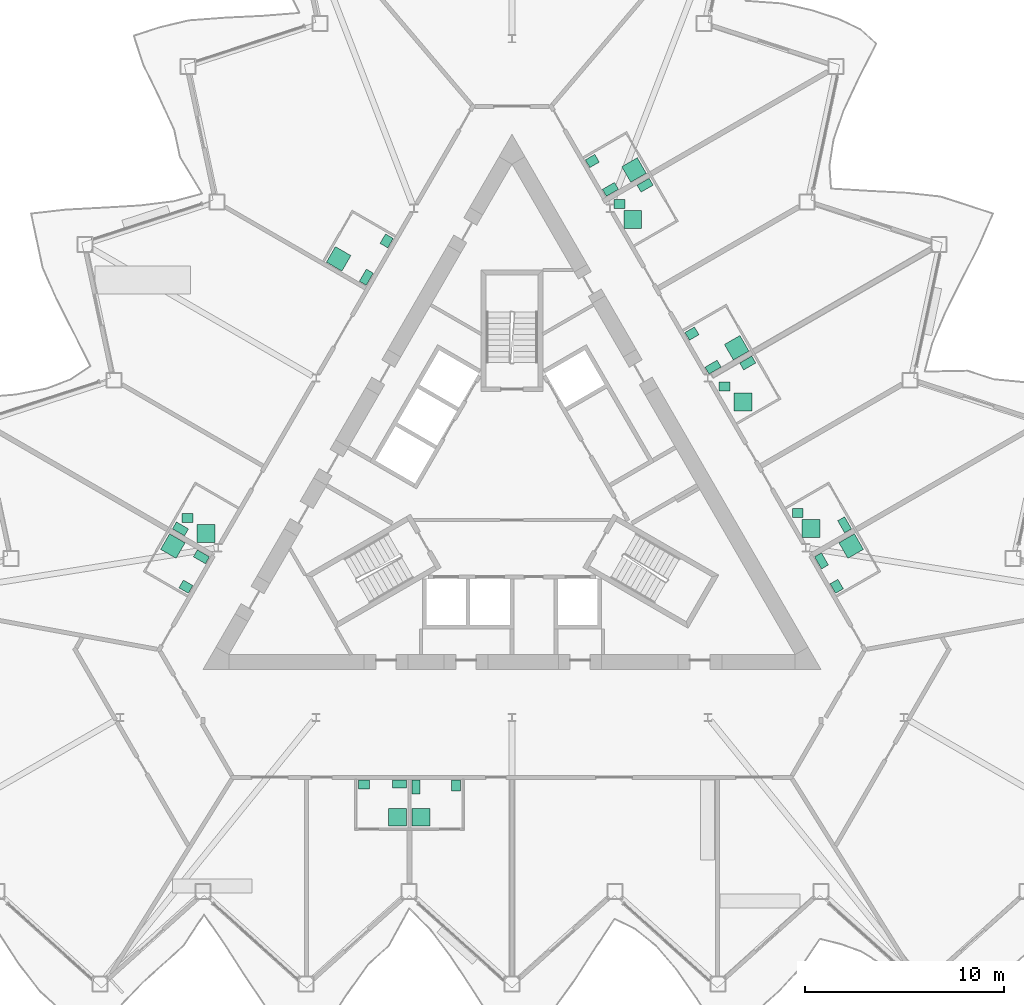
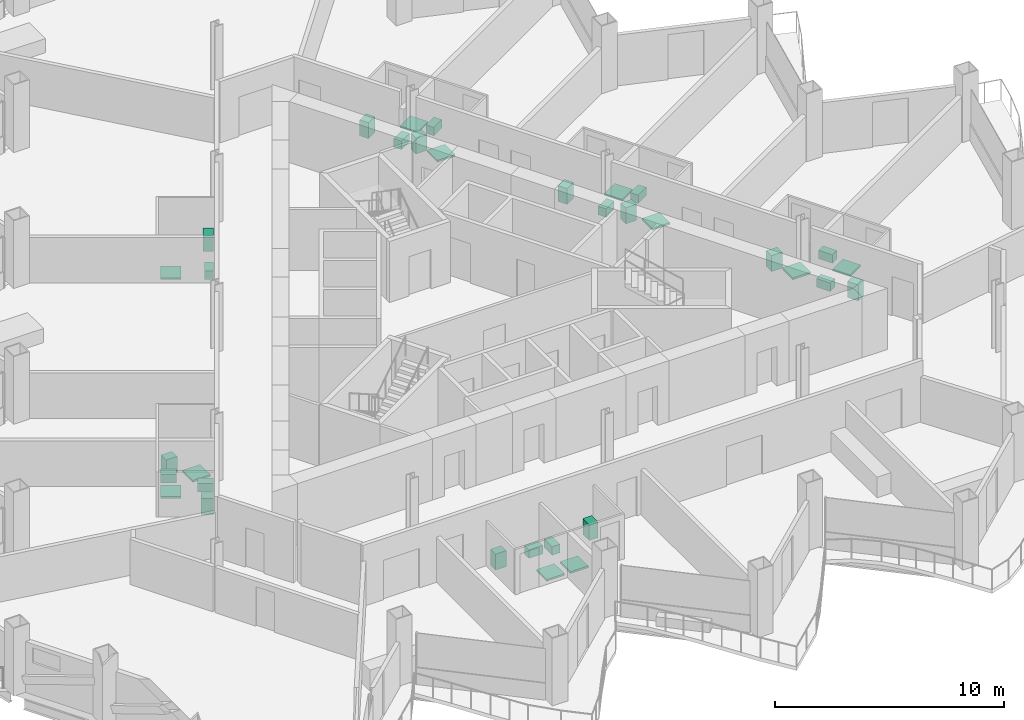
# One storey, part 23 of 24: 33 sanitary terminals.
"""IFC4 building model written with IfcOpenShell, lengths in metres."""

from ifc_helpers import new_model, si_unit, direction, frame, origin, origin_2d, place, context, subcontext, project, spatial, rectangle, extrude, material, type_object, element, save


model = new_model("IFC4")

# Units and contexts
model_context = context("Model", 3, precision=1e-05, world=origin(), true_north=direction((0.0, 1.0)))
body_context = subcontext(model_context, "Body", "Model", "MODEL_VIEW")
ifc_project = project(units=[si_unit("LENGTHUNIT", "METRE"), si_unit("AREAUNIT", "SQUARE_METRE"), si_unit("VOLUMEUNIT", "CUBIC_METRE"), si_unit("PLANEANGLEUNIT", "RADIAN"), si_unit("MASSUNIT", "GRAM", prefix="KILO")], contexts=[model_context])

# Site, building, storey
site_placement = place(None, origin())
site = spatial("IfcSite", under=ifc_project, at=site_placement, CompositionType="ELEMENT")
building_placement = place(site_placement, origin())
building = spatial("IfcBuilding", under=site, at=building_placement, Name="Cormorant Prow Tower", CompositionType="ELEMENT")
storey_placement = place(building_placement, frame((0.0, 0.0, 205.199951171875)))
storey = spatial("IfcBuildingStorey", under=building, at=storey_placement, Name="L45", CompositionType="ELEMENT", Elevation=205.199951171875)

# Sanitary terminals
ifc_material_1 = material(Name="Vitreous china")
sanitary_terminal_type_1 = type_object("IfcSanitaryTerminalType", Name="Shower tray 900x900", PredefinedType="SHOWER", material=ifc_material_1)
for number, where, z_axis, x_axis, name in (
    (1, (-5.742919921875, -16.35400390625, 0.0), (0.0, 0.0, 1.0), (-1.0, 0.0, 0.0), "Shower tray"),
    (2, (-4.552978515625, -16.35400390625, 0.0), (0.0, 0.0, 1.0), (0.0, 1.0, 0.0), "Shower tray"),
    (3, (17.010498046875, -2.7548828125, 0.0), (0.0, 0.0, 1.0), (0.5, -0.866025403784, 0.0), "Shower tray"),
    (4, (15.00634765625, -1.8623046875, 0.0), (0.0, 0.0, 1.0), (1.0, 0.0, 0.0), "Shower tray"),
    (5, (11.580078125, 4.466064453125, 0.0), (0.0, 0.0, 1.0), (1.0, 0.0, 0.0), "Shower tray"),
    (6, (11.267333984375, 7.192138671875, 0.0), (0.0, 0.0, 1.0), (-0.866025403784, -0.5, 0.0), "Shower tray"),
    (7, (6.055419921875, 13.632568359375, 0.0), (0.0, 0.0, 1.0), (1.0, 0.0, 0.0), "Shower tray"),
    (8, (6.119384765625, 16.10888671875, 0.0), (0.0, 0.0, 1.0), (-0.866025403784, -0.5, 0.0), "Shower tray"),
    (9, (-8.693359375, 11.650634765625, 0.0), (0.0, 0.0, 1.0), (0.5, 0.866025403784, 0.0), "Shower tray"),
    (10, (-15.348388671875, -2.1123046875, 0.0), (0.0, 0.0, 1.0), (1.0, 0.0, 0.0), "Shower tray"),
    (11, (-17.010498046875, -2.7548828125, 0.0), (0.0, 0.0, 1.0), (0.866025403784, -0.5, 0.0), "Shower tray"),
):
    element("IfcSanitaryTerminal", number, at=place(storey_placement, frame(where, z_axis=z_axis, x_axis=x_axis)), inside=storey, type_object=sanitary_terminal_type_1, Name=name, PredefinedType="SHOWER", context=body_context, shape_type="SweptSolid", body=[
        extrude(rectangle(XDim=0.89990234375, YDim=0.89990234375, at=origin_2d()), origin(), (0.0, 0.0, 1.0), 0.10009765625),
    ])
ifc_material_2 = material(Name="Vitreous china")
sanitary_terminal_type_2 = type_object("IfcSanitaryTerminalType", Name="Wash basin 550x450", PredefinedType="WASHHANDBASIN", material=ifc_material_2)
for number, where, z_axis, x_axis, name in (
    (12, (-7.427978515625, -14.718994140625, 0.0), (0.0, 0.0, 1.0), (1.0, 0.0, 0.0), "Wash basin"),
    (13, (-2.818115234375, -14.768798828125, 0.0), (0.0, 0.0, 1.0), (0.0, -1.0, 0.0), "Wash basin"),
    (14, (16.286865234375, -4.77197265625, 0.0), (0.0, 0.0, 1.0), (-0.5, 0.866025403784, 0.0), "Wash basin"),
    (15, (14.331298828125, -1.08740234375, 0.0), (0.0, 0.0, 1.0), (1.0, 0.0, 0.0), "Wash basin"),
    (16, (10.6552734375, 5.240966796875, 0.0), (0.0, 0.0, 1.0), (1.0, 0.0, 0.0), "Wash basin"),
    (17, (9.027099609375, 7.90234375, 0.0), (0.0, 0.0, 1.0), (0.866025403784, 0.5, 0.0), "Wash basin"),
    (18, (5.380615234375, 14.40771484375, 0.0), (0.0, 0.0, 1.0), (1.0, 0.0, 0.0), "Wash basin"),
    (19, (4.029296875, 16.55908203125, 0.0), (0.0, 0.0, 1.0), (0.866025403784, 0.5, 0.0), "Wash basin"),
    (20, (-6.284912109375, 12.552001953125, 0.0), (0.0, 0.0, 1.0), (-0.5, -0.866025403784, 0.0), "Wash basin"),
    (21, (-16.2734375, -1.33740234375, 0.0), (0.0, 0.0, 1.0), (1.0, 0.0, 0.0), "Wash basin"),
    (22, (-16.355224609375, -4.790283203125, 0.0), (0.0, 0.0, 1.0), (-0.866025403784, 0.5, 0.0), "Wash basin"),
):
    element("IfcSanitaryTerminal", number, at=place(storey_placement, frame(where, z_axis=z_axis, x_axis=x_axis)), inside=storey, type_object=sanitary_terminal_type_2, Name=name, PredefinedType="WASHHANDBASIN", context=body_context, shape_type="SweptSolid", body=[
        extrude(rectangle(XDim=0.550048828125, YDim=0.449951171875, at=origin_2d()), origin(), (0.0, 0.0, 1.0), 0.85009765625),
    ])
ifc_material_3 = material(Name="Vitreous china")
sanitary_terminal_type_3 = type_object("IfcSanitaryTerminalType", Name="Water closet 400x700", PredefinedType="WCSEAT", material=ifc_material_3)
for number, where, z_axis, x_axis, name in (
    (23, (-5.64306640625, -14.69384765625, 0.0), (0.0, 0.0, 1.0), (0.0, -1.0, 0.0), "Water closet"),
    (24, (-4.802978515625, -14.843994140625, 0.0), (0.0, 0.0, 1.0), (1.0, 0.0, 0.0), "Water closet"),
    (25, (15.522705078125, -3.498291015625, 0.0), (0.0, 0.0, 1.0), (0.866025403784, 0.5, 0.0), "Water closet"),
    (26, (16.681884765625, -1.68603515625, 0.0), (0.0, 0.0, 1.0), (-0.866025403784, -0.5, 0.0), "Water closet"),
    (27, (11.823974609375, 6.42822265625, 0.0), (0.0, 0.0, 1.0), (0.5, -0.866025403784, 0.0), "Water closet"),
    (28, (10.084716796875, 6.220703125, 0.0), (0.0, 0.0, 1.0), (-0.5, 0.866025403784, 0.0), "Water closet"),
    (29, (6.67578125, 15.3447265625, 0.0), (0.0, 0.0, 1.0), (0.5, -0.866025403784, 0.0), "Water closet"),
    (30, (4.9365234375, 15.137451171875, 0.0), (0.0, 0.0, 1.0), (-0.5, 0.866025403784, 0.0), "Water closet"),
    (31, (-7.3056640625, 10.73388671875, 0.0), (0.0, 0.0, 1.0), (-0.866025403784, 0.5, 0.0), "Water closet"),
    (32, (-16.626953125, -1.890869140625, 0.0), (0.0, 0.0, 1.0), (0.5, 0.866025403784, 0.0), "Water closet"),
    (33, (-15.57763671875, -3.29345703125, 0.0), (0.0, 0.0, 1.0), (-0.5, -0.866025403784, 0.0), "Water closet"),
):
    element("IfcSanitaryTerminal", number, at=place(storey_placement, frame(where, z_axis=z_axis, x_axis=x_axis)), inside=storey, type_object=sanitary_terminal_type_3, Name=name, PredefinedType="WCSEAT", context=body_context, shape_type="SweptSolid", body=[
        extrude(rectangle(XDim=0.39990234375, YDim=0.699951171875, at=origin_2d()), origin(), (0.0, 0.0, 1.0), 0.449951171875),
    ])

save(model, "model.ifc")
